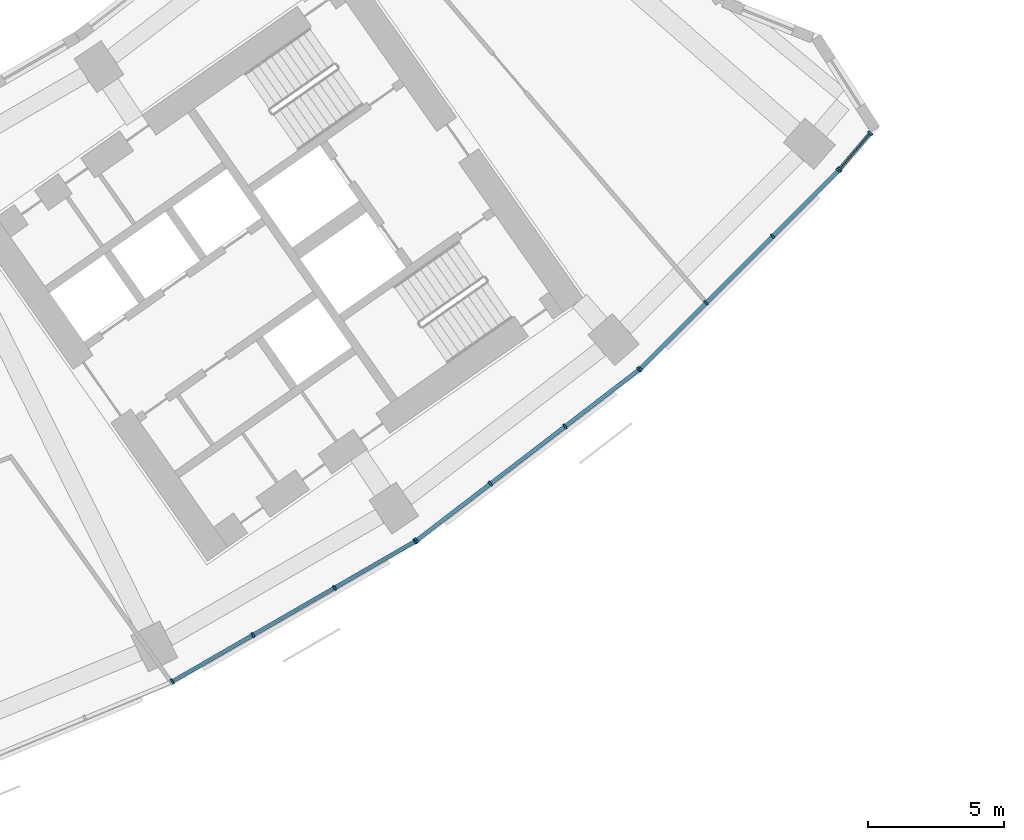
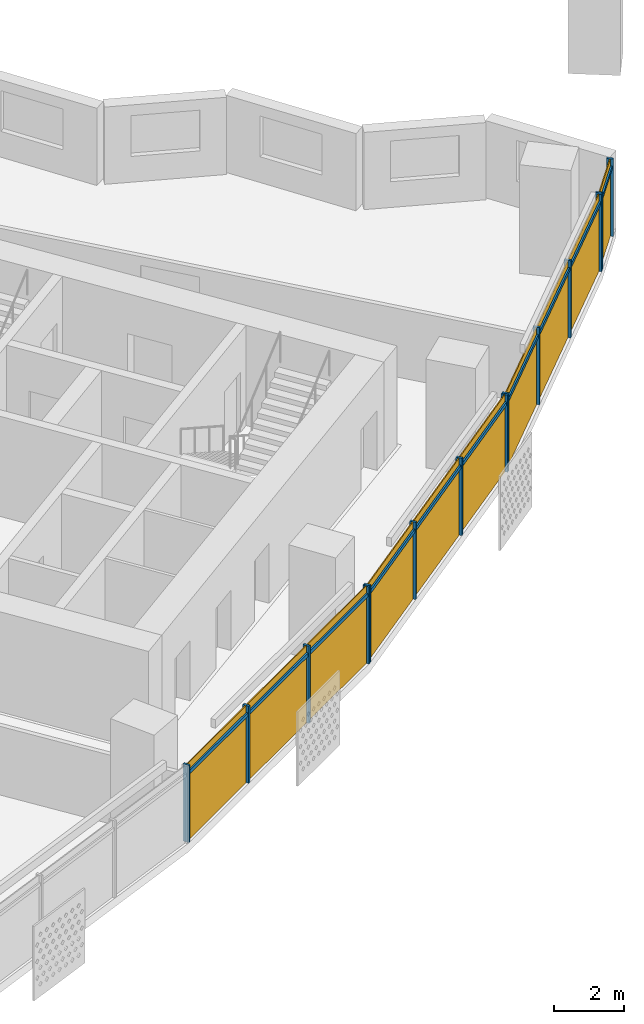
# One storey, part 22 of 29: 24 members, 4 curtain walls.
"""IFC4 building model written with IfcOpenShell, lengths in metres."""

from ifc_helpers import new_model, si_unit, direction, frame, origin, origin_2d, place, context, subcontext, project, spatial, rectangle, extrude, material, material_profile, profile_set, type_object, element, aggregate, save


model = new_model("IFC4")

# Units and contexts
model_context = context("Model", 3, precision=1e-05, world=origin(), true_north=direction((0.0, 1.0)))
body_context = subcontext(model_context, "Body", "Model", "MODEL_VIEW")
ifc_project = project(units=[si_unit("LENGTHUNIT", "METRE"), si_unit("AREAUNIT", "SQUARE_METRE"), si_unit("VOLUMEUNIT", "CUBIC_METRE"), si_unit("PLANEANGLEUNIT", "RADIAN"), si_unit("MASSUNIT", "GRAM", prefix="KILO")], contexts=[model_context])

# Member
ifc_material = material(Name="Aluminium 6063-T6 anodised", Category="aluminium")
ifc_material_profile_1 = material_profile(ifc_material, rectangle(XDim=0.199951171875, YDim=0.070068359375, at=origin_2d()))
ifc_profile_set_1 = profile_set([ifc_material_profile_1], Name="Aluminium 6063-T6 anodised")
member_type_1 = type_object("IfcMemberType", Name="Mullion 70 x 200 aluminium", PredefinedType="MULLION", material=ifc_profile_set_1)
site_placement = place(None, origin())
building_placement = place(site_placement, origin())
storey_placement = place(building_placement, frame((0.0, 0.0, 106.300048828125)))
member_1_placement = place(storey_placement, frame((35.0537109375, -71.017822265625, 0.0), z_axis=(0.0, 0.0, 1.0), x_axis=(-0.5, 0.866025403784, 0.0)))
member_1 = element("IfcMember", 1, at=member_1_placement, type_object=member_type_1, Name="e-cw1-L23-out13/M00", PredefinedType="MULLION", context=body_context, shape_type="SweptSolid", body=[
    extrude(rectangle(XDim=0.199951171875, YDim=0.070068359375, at=origin_2d()), origin(), (0.0, 0.0, 1.0), 2.699951171875),
])

member_2_placement = place(storey_placement, frame((38.017822265625, -69.306640625, 0.0), z_axis=(0.0, 0.0, 1.0), x_axis=(-0.5, 0.866025403784, 0.0)))
member_2 = element("IfcMember", 2, at=member_2_placement, type_object=member_type_1, Name="e-cw1-L23-out13/M01", PredefinedType="MULLION", context=body_context, shape_type="SweptSolid", body=[
    extrude(rectangle(XDim=0.199951171875, YDim=0.070068359375, at=origin_2d()), origin(), (0.0, 0.0, 1.0), 2.699951171875),
])

member_3_placement = place(storey_placement, frame((41.01220703125, -67.577880859375, 0.0), z_axis=(0.0, 0.0, 1.0), x_axis=(-0.5, 0.866025403784, 0.0)))
member_3 = element("IfcMember", 3, at=member_3_placement, type_object=member_type_1, Name="e-cw1-L23-out13/M02", PredefinedType="MULLION", context=body_context, shape_type="SweptSolid", body=[
    extrude(rectangle(XDim=0.199951171875, YDim=0.070068359375, at=origin_2d()), origin(), (0.0, 0.0, 1.0), 2.699951171875),
])

member_4_placement = place(storey_placement, frame((43.976318359375, -65.866455078125, 0.0), z_axis=(0.0, 0.0, 1.0), x_axis=(-0.5, 0.866025403784, 0.0)))
member_4 = element("IfcMember", 4, at=member_4_placement, type_object=member_type_1, Name="e-cw1-L23-out13/M03", PredefinedType="MULLION", context=body_context, shape_type="SweptSolid", body=[
    extrude(rectangle(XDim=0.199951171875, YDim=0.070068359375, at=origin_2d()), origin(), (0.0, 0.0, 1.0), 2.699951171875),
])

member_5_placement = place(storey_placement, frame((44.023681640625, -65.8349609375, 0.0), z_axis=(0.0, 0.0, 1.0), x_axis=(-0.608761429009, 0.793353340291, 0.0)))
member_5 = element("IfcMember", 5, at=member_5_placement, type_object=member_type_1, Name="e-cw1-L23-out14/M00", PredefinedType="MULLION", context=body_context, shape_type="SweptSolid", body=[
    extrude(rectangle(XDim=0.199951171875, YDim=0.070068359375, at=origin_2d()), origin(), (0.0, 0.0, 1.0), 2.699951171875),
])

member_6_placement = place(storey_placement, frame((46.739013671875, -63.751220703125, 0.0), z_axis=(0.0, 0.0, 1.0), x_axis=(-0.608761429009, 0.793353340291, 0.0)))
member_6 = element("IfcMember", 6, at=member_6_placement, type_object=member_type_1, Name="e-cw1-L23-out14/M01", PredefinedType="MULLION", context=body_context, shape_type="SweptSolid", body=[
    extrude(rectangle(XDim=0.199951171875, YDim=0.070068359375, at=origin_2d()), origin(), (0.0, 0.0, 1.0), 2.699951171875),
])

member_7_placement = place(storey_placement, frame((49.482177734375, -61.646484375, 0.0), z_axis=(0.0, 0.0, 1.0), x_axis=(-0.608761429009, 0.793353340291, 0.0)))
member_7 = element("IfcMember", 7, at=member_7_placement, type_object=member_type_1, Name="e-cw1-L23-out14/M02", PredefinedType="MULLION", context=body_context, shape_type="SweptSolid", body=[
    extrude(rectangle(XDim=0.199951171875, YDim=0.070068359375, at=origin_2d()), origin(), (0.0, 0.0, 1.0), 2.699951171875),
])

member_8_placement = place(storey_placement, frame((52.197509765625, -59.56298828125, 0.0), z_axis=(0.0, 0.0, 1.0), x_axis=(-0.608761429009, 0.793353340291, 0.0)))
member_8 = element("IfcMember", 8, at=member_8_placement, type_object=member_type_1, Name="e-cw1-L23-out14/M03", PredefinedType="MULLION", context=body_context, shape_type="SweptSolid", body=[
    extrude(rectangle(XDim=0.199951171875, YDim=0.070068359375, at=origin_2d()), origin(), (0.0, 0.0, 1.0), 2.699951171875),
])

member_9_placement = place(storey_placement, frame((52.240234375, -59.525390625, 0.0), z_axis=(0.0, 0.0, 1.0), x_axis=(-0.707106781187, 0.707106781187, 0.0)))
member_9 = element("IfcMember", 9, at=member_9_placement, type_object=member_type_1, Name="e-cw1-L23-out15/M00", PredefinedType="MULLION", context=body_context, shape_type="SweptSolid", body=[
    extrude(rectangle(XDim=0.199951171875, YDim=0.070068359375, at=origin_2d()), origin(), (0.0, 0.0, 1.0), 2.699951171875),
])

member_10_placement = place(storey_placement, frame((54.660400390625, -57.105224609375, 0.0), z_axis=(0.0, 0.0, 1.0), x_axis=(-0.707106781187, 0.707106781187, 0.0)))
member_10 = element("IfcMember", 10, at=member_10_placement, type_object=member_type_1, Name="e-cw1-L23-out15/M01", PredefinedType="MULLION", context=body_context, shape_type="SweptSolid", body=[
    extrude(rectangle(XDim=0.199951171875, YDim=0.070068359375, at=origin_2d()), origin(), (0.0, 0.0, 1.0), 2.699951171875),
])

member_11_placement = place(storey_placement, frame((57.105224609375, -54.660400390625, 0.0), z_axis=(0.0, 0.0, 1.0), x_axis=(-0.707106781187, 0.707106781187, 0.0)))
member_11 = element("IfcMember", 11, at=member_11_placement, type_object=member_type_1, Name="e-cw1-L23-out15/M02", PredefinedType="MULLION", context=body_context, shape_type="SweptSolid", body=[
    extrude(rectangle(XDim=0.199951171875, YDim=0.070068359375, at=origin_2d()), origin(), (0.0, 0.0, 1.0), 2.699951171875),
])

member_12_placement = place(storey_placement, frame((59.525390625, -52.240234375, 0.0), z_axis=(0.0, 0.0, 1.0), x_axis=(-0.707106781187, 0.707106781187, 0.0)))
member_12 = element("IfcMember", 12, at=member_12_placement, type_object=member_type_1, Name="e-cw1-L23-out15/M03", PredefinedType="MULLION", context=body_context, shape_type="SweptSolid", body=[
    extrude(rectangle(XDim=0.199951171875, YDim=0.070068359375, at=origin_2d()), origin(), (0.0, 0.0, 1.0), 2.699951171875),
])

member_13_placement = place(storey_placement, frame((59.567626953125, -52.194580078125, 0.0), z_axis=(0.0, 0.0, 1.0), x_axis=(-0.760854442079, 0.648922582416, 0.0)))
member_13 = element("IfcMember", 13, at=member_13_placement, type_object=member_type_1, Name="e-cw1-L23-out16/M00", PredefinedType="MULLION", context=body_context, shape_type="SweptSolid", body=[
    extrude(rectangle(XDim=0.199951171875, YDim=0.070068359375, at=origin_2d()), origin(), (0.0, 0.0, 1.0), 2.699951171875),
])

member_14_placement = place(storey_placement, frame((60.6904296875, -50.8779296875, 0.0), z_axis=(0.0, 0.0, 1.0), x_axis=(-0.760854442079, 0.648922582416, 0.0)))
member_14 = element("IfcMember", 14, at=member_14_placement, type_object=member_type_1, Name="e-cw1-L23-out16/M01", PredefinedType="MULLION", context=body_context, shape_type="SweptSolid", body=[
    extrude(rectangle(XDim=0.199951171875, YDim=0.070068359375, at=origin_2d()), origin(), (0.0, 0.0, 1.0), 2.699951171875),
])

ifc_material_profile_2 = material_profile(ifc_material, rectangle(XDim=0.139892578125, YDim=0.1201171875, at=origin_2d()))
ifc_profile_set_2 = profile_set([ifc_material_profile_2], Name="Aluminium 6063-T6 anodised")
member_type_2 = type_object("IfcMemberType", Name="Transom 120 x 140 aluminium", PredefinedType="USERDEFINED", material=ifc_profile_set_2)
member_15_placement = place(storey_placement, frame((35.084228515625, -71.00048828125, 2.39990234375), z_axis=(0.865989120267, 0.50006283963, 0.0), x_axis=(-0.50006283963, 0.865989120267, 0.0)))
member_15 = element("IfcMember", 15, at=member_15_placement, type_object=member_type_2, Name="e-cw1-L23-out13/T00", ObjectType="TRANSOM", PredefinedType="USERDEFINED", context=body_context, shape_type="SweptSolid", body=[
    extrude(rectangle(XDim=0.139892578125, YDim=0.1201171875, at=origin_2d()), origin(), (0.0, 0.0, 1.0), 3.3525390625),
])

member_16_placement = place(storey_placement, frame((38.048095703125, -69.2890625, 2.39990234375), z_axis=(0.866025971257, 0.499999017107, 0.0), x_axis=(-0.499999017107, 0.866025971257, 0.0)))
member_16 = element("IfcMember", 16, at=member_16_placement, type_object=member_type_2, Name="e-cw1-L23-out13/T01", ObjectType="TRANSOM", PredefinedType="USERDEFINED", context=body_context, shape_type="SweptSolid", body=[
    extrude(rectangle(XDim=0.139892578125, YDim=0.1201171875, at=origin_2d()), origin(), (0.0, 0.0, 1.0), 3.3876953125),
])

member_17_placement = place(storey_placement, frame((41.042724609375, -67.560302734375, 2.39990234375), z_axis=(0.866020654818, 0.50000822536, 0.0), x_axis=(-0.50000822536, 0.866020654818, 0.0)))
member_17 = element("IfcMember", 17, at=member_17_placement, type_object=member_type_2, Name="e-cw1-L23-out13/T02", ObjectType="TRANSOM", PredefinedType="USERDEFINED", context=body_context, shape_type="SweptSolid", body=[
    extrude(rectangle(XDim=0.139892578125, YDim=0.1201171875, at=origin_2d()), origin(), (0.0, 0.0, 1.0), 3.3525390625),
])

member_18_placement = place(storey_placement, frame((44.05126953125, -65.8134765625, 2.39990234375), z_axis=(0.793389477316, 0.608714331426, 0.0), x_axis=(-0.608714331426, 0.793389477316, 0.0)))
member_18 = element("IfcMember", 18, at=member_18_placement, type_object=member_type_2, Name="e-cw1-L23-out14/T00", ObjectType="TRANSOM", PredefinedType="USERDEFINED", context=body_context, shape_type="SweptSolid", body=[
    extrude(rectangle(XDim=0.139892578125, YDim=0.1201171875, at=origin_2d()), origin(), (0.0, 0.0, 1.0), 3.3525390625),
])

member_19_placement = place(storey_placement, frame((46.766845703125, -63.72998046875, 2.39990234375), z_axis=(0.793344133173, 0.608773427772, 0.0), x_axis=(-0.608773427772, 0.793344133173, 0.0)))
member_19 = element("IfcMember", 19, at=member_19_placement, type_object=member_type_2, Name="e-cw1-L23-out14/T01", ObjectType="TRANSOM", PredefinedType="USERDEFINED", context=body_context, shape_type="SweptSolid", body=[
    extrude(rectangle(XDim=0.139892578125, YDim=0.1201171875, at=origin_2d()), origin(), (0.0, 0.0, 1.0), 3.387451171875),
])

member_20_placement = place(storey_placement, frame((49.509765625, -61.625244140625, 2.39990234375), z_axis=(0.793354308621, 0.608760167055, 0.0), x_axis=(-0.608760167055, 0.793354308621, 0.0)))
member_20 = element("IfcMember", 20, at=member_20_placement, type_object=member_type_2, Name="e-cw1-L23-out14/T02", ObjectType="TRANSOM", PredefinedType="USERDEFINED", context=body_context, shape_type="SweptSolid", body=[
    extrude(rectangle(XDim=0.139892578125, YDim=0.1201171875, at=origin_2d()), origin(), (0.0, 0.0, 1.0), 3.352783203125),
])

member_21_placement = place(storey_placement, frame((52.264892578125, -59.500732421875, 2.39990234375), z_axis=(0.707106781187, 0.707106781187, 0.0), x_axis=(-0.707106781187, 0.707106781187, 0.0)))
member_21 = element("IfcMember", 21, at=member_21_placement, type_object=member_type_2, Name="e-cw1-L23-out15/T00", ObjectType="TRANSOM", PredefinedType="USERDEFINED", context=body_context, shape_type="SweptSolid", body=[
    extrude(rectangle(XDim=0.139892578125, YDim=0.1201171875, at=origin_2d()), origin(), (0.0, 0.0, 1.0), 3.3525390625),
])

member_22_placement = place(storey_placement, frame((54.68505859375, -57.08056640625, 2.39990234375), z_axis=(0.707106781187, 0.707106781187, 0.0), x_axis=(-0.707106781187, 0.707106781187, 0.0)))
member_22 = element("IfcMember", 22, at=member_22_placement, type_object=member_type_2, Name="e-cw1-L23-out15/T01", ObjectType="TRANSOM", PredefinedType="USERDEFINED", context=body_context, shape_type="SweptSolid", body=[
    extrude(rectangle(XDim=0.139892578125, YDim=0.1201171875, at=origin_2d()), origin(), (0.0, 0.0, 1.0), 3.3876953125),
])

member_23_placement = place(storey_placement, frame((57.130126953125, -54.635498046875, 2.39990234375), z_axis=(0.707106781187, 0.707106781187, 0.0), x_axis=(-0.707106781187, 0.707106781187, 0.0)))
member_23 = element("IfcMember", 23, at=member_23_placement, type_object=member_type_2, Name="e-cw1-L23-out15/T02", ObjectType="TRANSOM", PredefinedType="USERDEFINED", context=body_context, shape_type="SweptSolid", body=[
    extrude(rectangle(XDim=0.139892578125, YDim=0.1201171875, at=origin_2d()), origin(), (0.0, 0.0, 1.0), 3.3525390625),
])

member_24_placement = place(storey_placement, frame((59.59033203125, -52.16796875, 2.39990234375), z_axis=(0.648863991893, 0.760904409256, 0.0), x_axis=(-0.760904409256, 0.648863991893, 0.0)))
member_24 = element("IfcMember", 24, at=member_24_placement, type_object=member_type_2, Name="e-cw1-L23-out16/T00", ObjectType="TRANSOM", PredefinedType="USERDEFINED", context=body_context, shape_type="SweptSolid", body=[
    extrude(rectangle(XDim=0.139892578125, YDim=0.1201171875, at=origin_2d()), origin(), (0.0, 0.0, 1.0), 1.660400390625),
])

# Site, building, storey
site = spatial("IfcSite", under=ifc_project, at=site_placement, CompositionType="ELEMENT")
building = spatial("IfcBuilding", under=site, at=building_placement, Name="Qamariyya Broadcast Tower", CompositionType="ELEMENT")
storey = spatial("IfcBuildingStorey", under=building, at=storey_placement, Name="L23", CompositionType="ELEMENT", Elevation=106.300048828125)

# Curtain wall
curtain_wall_type = type_object("IfcCurtainWallType", Name="Unitised curtain wall, anodised aluminium", PredefinedType="NOTDEFINED", material=ifc_material)
curtain_wall_1_placement = place(storey_placement, origin())
curtain_wall_1 = element("IfcCurtainWall", 25, at=curtain_wall_1_placement, inside=storey, type_object=curtain_wall_type, Name="e-cw1-L23-out13", PredefinedType="NOTDEFINED", context=body_context, shape_type="SweptSolid", body=[
    extrude(rectangle(XDim=3.352783203125, YDim=0.031982421875, at=origin_2d()), frame((36.535888671875, -70.162109375, 0.0), x_axis=(0.866027243369, 0.499996813733, 0.0)), (0.0, 0.0, 1.0), 2.340087890625),
    extrude(rectangle(XDim=3.352783203125, YDim=0.031982421875, at=origin_2d()), frame((36.535888671875, -70.162109375, 2.4599609375), x_axis=(0.866027243369, 0.499996813733, 0.0)), (0.0, 0.0, 1.0), 0.239990234375),
    extrude(rectangle(XDim=3.3876953125, YDim=0.031982421875, at=origin_2d()), frame((39.51513671875, -68.442138671875, 0.0), x_axis=(0.866027243369, 0.499996813733, 0.0)), (0.0, 0.0, 1.0), 2.340087890625),
    extrude(rectangle(XDim=3.3876953125, YDim=0.031982421875, at=origin_2d()), frame((39.51513671875, -68.442138671875, 2.4599609375), x_axis=(0.866027243369, 0.499996813733, 0.0)), (0.0, 0.0, 1.0), 0.239990234375),
    extrude(rectangle(XDim=3.352783203125, YDim=0.031982421875, at=origin_2d()), frame((42.494384765625, -66.72216796875, 0.0), x_axis=(0.866027243369, 0.499996813733, 0.0)), (0.0, 0.0, 1.0), 2.340087890625),
    extrude(rectangle(XDim=3.352783203125, YDim=0.031982421875, at=origin_2d()), frame((42.494384765625, -66.72216796875, 2.4599609375), x_axis=(0.866027243369, 0.499996813733, 0.0)), (0.0, 0.0, 1.0), 0.239990234375),
])

aggregate(curtain_wall_1, [member_1, member_2, member_3, member_4, member_15, member_16, member_17])

curtain_wall_2_placement = place(storey_placement, origin())
curtain_wall_2 = element("IfcCurtainWall", 26, at=curtain_wall_2_placement, inside=storey, type_object=curtain_wall_type, Name="e-cw1-L23-out14", PredefinedType="NOTDEFINED", context=body_context, shape_type="SweptSolid", body=[
    extrude(rectangle(XDim=3.352783203125, YDim=0.031982421875, at=origin_2d()), frame((45.38134765625, -64.793212890625, 0.0), x_axis=(0.793354000839, 0.608760568165, 0.0)), (0.0, 0.0, 1.0), 2.340087890625),
    extrude(rectangle(XDim=3.352783203125, YDim=0.031982421875, at=origin_2d()), frame((45.38134765625, -64.793212890625, 2.4599609375), x_axis=(0.793354000839, 0.608760568165, 0.0)), (0.0, 0.0, 1.0), 0.239990234375),
    extrude(rectangle(XDim=3.3876953125, YDim=0.031982421875, at=origin_2d()), frame((48.110595703125, -62.69873046875, 0.0), x_axis=(0.793354000839, 0.608760568165, 0.0)), (0.0, 0.0, 1.0), 2.340087890625),
    extrude(rectangle(XDim=3.3876953125, YDim=0.031982421875, at=origin_2d()), frame((48.110595703125, -62.69873046875, 2.4599609375), x_axis=(0.793354000839, 0.608760568165, 0.0)), (0.0, 0.0, 1.0), 0.239990234375),
    extrude(rectangle(XDim=3.352783203125, YDim=0.031982421875, at=origin_2d()), frame((50.83984375, -60.6044921875, 0.0), x_axis=(0.793354000839, 0.608760568165, 0.0)), (0.0, 0.0, 1.0), 2.340087890625),
    extrude(rectangle(XDim=3.352783203125, YDim=0.031982421875, at=origin_2d()), frame((50.83984375, -60.6044921875, 2.4599609375), x_axis=(0.793354000839, 0.608760568165, 0.0)), (0.0, 0.0, 1.0), 0.239990234375),
])

aggregate(curtain_wall_2, [member_5, member_6, member_7, member_8, member_18, member_19, member_20])

curtain_wall_3_placement = place(storey_placement, origin())
curtain_wall_3 = element("IfcCurtainWall", 27, at=curtain_wall_3_placement, inside=storey, type_object=curtain_wall_type, Name="e-cw1-L23-out15", PredefinedType="NOTDEFINED", context=body_context, shape_type="SweptSolid", body=[
    extrude(rectangle(XDim=3.352783203125, YDim=0.031982421875, at=origin_2d()), frame((53.4501953125, -58.3154296875, 0.0), x_axis=(0.707106781187, 0.707106781187, 0.0)), (0.0, 0.0, 1.0), 2.340087890625),
    extrude(rectangle(XDim=3.352783203125, YDim=0.031982421875, at=origin_2d()), frame((53.4501953125, -58.3154296875, 2.4599609375), x_axis=(0.707106781187, 0.707106781187, 0.0)), (0.0, 0.0, 1.0), 0.239990234375),
    extrude(rectangle(XDim=3.3876953125, YDim=0.031982421875, at=origin_2d()), frame((55.8828125, -55.8828125, 0.0), x_axis=(0.707106781187, 0.707106781187, 0.0)), (0.0, 0.0, 1.0), 2.340087890625),
    extrude(rectangle(XDim=3.3876953125, YDim=0.031982421875, at=origin_2d()), frame((55.8828125, -55.8828125, 2.4599609375), x_axis=(0.707106781187, 0.707106781187, 0.0)), (0.0, 0.0, 1.0), 0.239990234375),
    extrude(rectangle(XDim=3.352783203125, YDim=0.031982421875, at=origin_2d()), frame((58.3154296875, -53.4501953125, 0.0), x_axis=(0.707106781187, 0.707106781187, 0.0)), (0.0, 0.0, 1.0), 2.340087890625),
    extrude(rectangle(XDim=3.352783203125, YDim=0.031982421875, at=origin_2d()), frame((58.3154296875, -53.4501953125, 2.4599609375), x_axis=(0.707106781187, 0.707106781187, 0.0)), (0.0, 0.0, 1.0), 0.239990234375),
])

aggregate(curtain_wall_3, [member_9, member_10, member_11, member_12, member_21, member_22, member_23])

curtain_wall_4_placement = place(storey_placement, origin())
curtain_wall_4 = element("IfcCurtainWall", 28, at=curtain_wall_4_placement, inside=storey, type_object=curtain_wall_type, Name="e-cw1-L23-out16", PredefinedType="NOTDEFINED", context=body_context, shape_type="SweptSolid", body=[
    extrude(rectangle(XDim=1.660400390625, YDim=0.031982421875, at=origin_2d()), frame((60.12890625, -51.5361328125, 0.0), x_axis=(0.648879648871, 0.760891057433, 0.0)), (0.0, 0.0, 1.0), 2.340087890625),
    extrude(rectangle(XDim=1.660400390625, YDim=0.031982421875, at=origin_2d()), frame((60.12890625, -51.5361328125, 2.4599609375), x_axis=(0.648879648871, 0.760891057433, 0.0)), (0.0, 0.0, 1.0), 0.239990234375),
])

aggregate(curtain_wall_4, [member_13, member_14, member_24])

save(model, "model.ifc")
